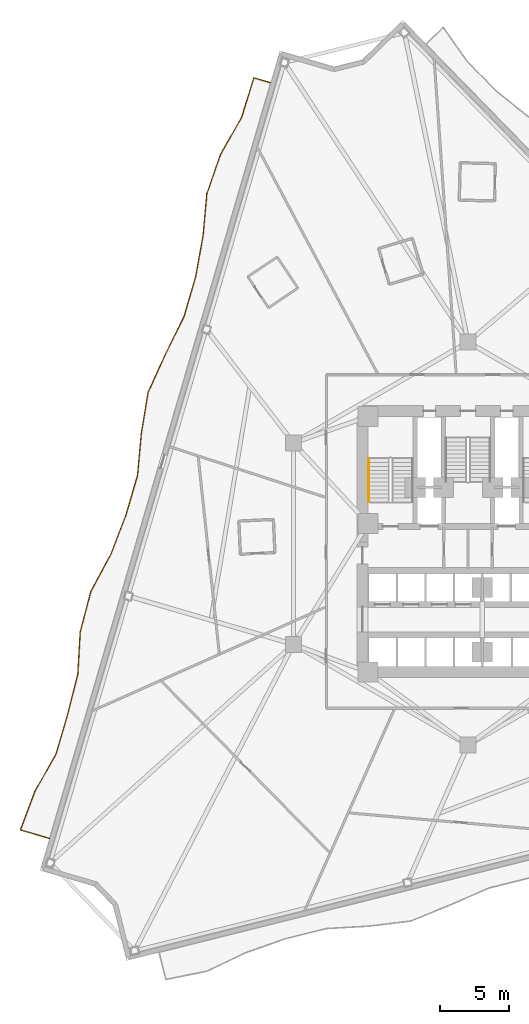
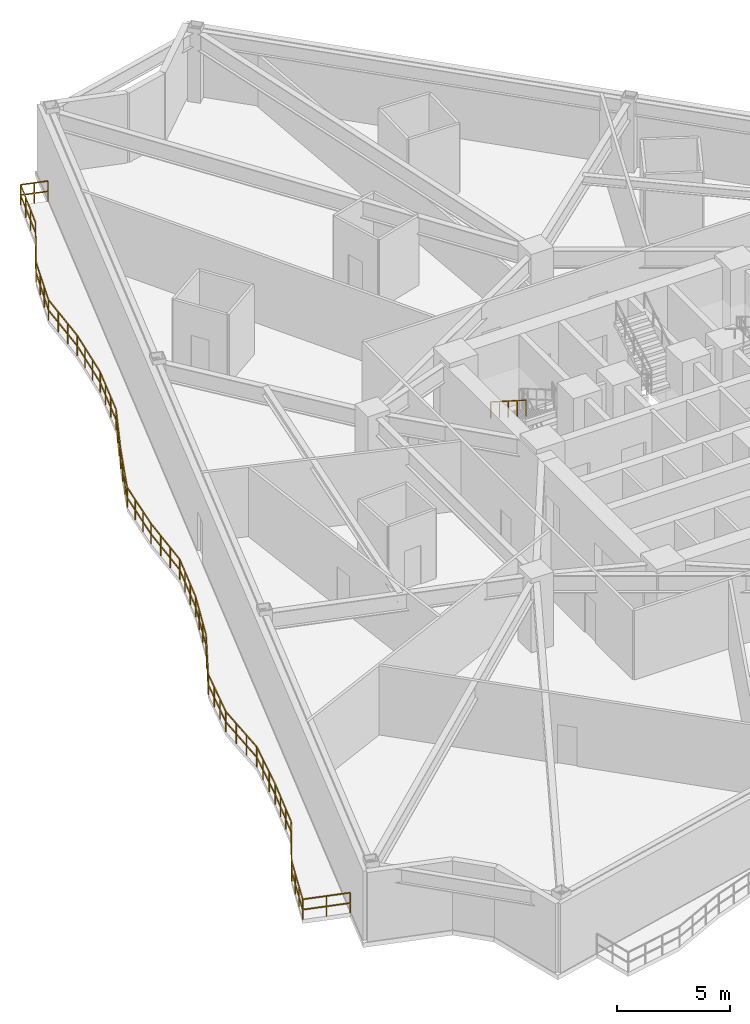
# One storey, part 8 of 10: 2 railings.
"""IFC4 building model written with IfcOpenShell, lengths in metres."""

from ifc_helpers import new_model, si_unit, direction, frame, origin, origin_2d, place, context, subcontext, project, spatial, rectangle, extrude, material, type_object, element, save


model = new_model("IFC4")

# Units and contexts
model_context = context("Model", 3, precision=1e-05, world=origin(), true_north=direction((0.0, 1.0)))
body_context = subcontext(model_context, "Body", "Model", "MODEL_VIEW")
ifc_project = project(units=[si_unit("LENGTHUNIT", "METRE"), si_unit("AREAUNIT", "SQUARE_METRE"), si_unit("VOLUMEUNIT", "CUBIC_METRE"), si_unit("PLANEANGLEUNIT", "RADIAN"), si_unit("MASSUNIT", "GRAM", prefix="KILO")], contexts=[model_context])

# Site, building, storey
site_placement = place(None, origin())
site = spatial("IfcSite", under=ifc_project, at=site_placement, CompositionType="ELEMENT")
building_placement = place(site_placement, origin())
building = spatial("IfcBuilding", under=site, at=building_placement, Name="Apsidion Concourse Tower", CompositionType="ELEMENT")
storey_placement = place(building_placement, frame((0.0, 0.0, 99.0)))
storey = spatial("IfcBuildingStorey", under=building, at=storey_placement, Name="L22", CompositionType="ELEMENT", Elevation=99.0)

# Railings
ifc_material = material(Name="Brushed stainless steel 316", Category="steel")
railing_type_1 = type_object("IfcRailingType", Name="RL-BAL-1120", PredefinedType="BALUSTRADE", material=ifc_material)
railing_1_placement = place(storey_placement, frame((-30.13330078125, -21.2216796875, 0.0)))
element("IfcRailing", 1, at=railing_1_placement, inside=storey, type_object=railing_type_1, Name="L22 Face 1 Rippling Balcony Balustrade", PredefinedType="BALUSTRADE", context=body_context, shape_type="SweptSolid", body=[
    extrude(rectangle(XDim=0.048095703125, YDim=0.048095703125, at=origin_2d()), frame((0.0, 0.0, 1.09619140625), z_axis=(-0.95980005822, 0.280684606347, 0.0), x_axis=(-0.280684606347, -0.95980005822, 0.0)), (0.0, 0.0, 1.0), 2.177001953125),
    extrude(rectangle(XDim=0.048095703125, YDim=0.048095703125, at=origin_2d()), frame((0.0, 0.0, 0.5361328125), z_axis=(-0.95980005822, 0.280684606347, 0.0), x_axis=(-0.280684606347, -0.95980005822, 0.0)), (0.0, 0.0, 1.0), 2.177001953125),
    extrude(rectangle(XDim=0.048095703125, YDim=0.048095703125, at=origin_2d()), frame((-2.089599609375, 0.611083984375, 1.09619140625), z_axis=(0.352545021922, 0.935794853329, 0.0), x_axis=(-0.935794853329, 0.352545021922, 0.0)), (0.0, 0.0, 1.0), 2.99169921875),
    extrude(rectangle(XDim=0.048095703125, YDim=0.048095703125, at=origin_2d()), frame((-2.089599609375, 0.611083984375, 0.5361328125), z_axis=(0.352545021922, 0.935794853329, 0.0), x_axis=(-0.935794853329, 0.352545021922, 0.0)), (0.0, 0.0, 1.0), 2.99169921875),
    extrude(rectangle(XDim=0.048095703125, YDim=0.048095703125, at=origin_2d()), frame((-1.034912109375, 3.41064453125, 1.09619140625), z_axis=(0.492891943596, 0.870090530887, 0.0), x_axis=(-0.870090530887, 0.492891943596, 0.0)), (0.0, 0.0, 1.0), 3.06396484375),
    extrude(rectangle(XDim=0.048095703125, YDim=0.048095703125, at=origin_2d()), frame((-1.034912109375, 3.41064453125, 0.5361328125), z_axis=(0.492891943596, 0.870090530887, 0.0), x_axis=(-0.870090530887, 0.492891943596, 0.0)), (0.0, 0.0, 1.0), 3.06396484375),
    extrude(rectangle(XDim=0.048095703125, YDim=0.048095703125, at=origin_2d()), frame((0.475341796875, 6.07666015625, 1.09619140625), z_axis=(0.2808013033, 0.95976592358, 0.0), x_axis=(-0.95976592358, 0.2808013033, 0.0)), (0.0, 0.0, 1.0), 2.983154296875),
    extrude(rectangle(XDim=0.048095703125, YDim=0.048095703125, at=origin_2d()), frame((0.475341796875, 6.07666015625, 0.5361328125), z_axis=(0.2808013033, 0.95976592358, 0.0), x_axis=(-0.95976592358, 0.2808013033, 0.0)), (0.0, 0.0, 1.0), 2.983154296875),
    extrude(rectangle(XDim=0.048095703125, YDim=0.048095703125, at=origin_2d()), frame((1.31298828125, 8.939697265625, 1.09619140625), z_axis=(0.244305726811, 0.969698258144, 0.0), x_axis=(-0.969698258144, 0.244305726811, 0.0)), (0.0, 0.0, 1.0), 2.98486328125),
    extrude(rectangle(XDim=0.048095703125, YDim=0.048095703125, at=origin_2d()), frame((1.31298828125, 8.939697265625, 0.5361328125), z_axis=(0.244305726811, 0.969698258144, 0.0), x_axis=(-0.969698258144, 0.244305726811, 0.0)), (0.0, 0.0, 1.0), 2.98486328125),
    extrude(rectangle(XDim=0.048095703125, YDim=0.048095703125, at=origin_2d()), frame((2.042236328125, 11.834228515625, 1.09619140625), z_axis=(0.057899192168, 0.99832243466, 0.0), x_axis=(-0.99832243466, 0.057899192168, 0.0)), (0.0, 0.0, 1.0), 3.061279296875),
    extrude(rectangle(XDim=0.048095703125, YDim=0.048095703125, at=origin_2d()), frame((2.042236328125, 11.834228515625, 0.5361328125), z_axis=(0.057899192168, 0.99832243466, 0.0), x_axis=(-0.99832243466, 0.057899192168, 0.0)), (0.0, 0.0, 1.0), 3.061279296875),
    extrude(rectangle(XDim=0.048095703125, YDim=0.048095703125, at=origin_2d()), frame((2.219482421875, 14.890380859375, 1.09619140625), z_axis=(0.256256857918, 0.966608722685, 0.0), x_axis=(-0.966608722685, 0.256256857918, 0.0)), (0.0, 0.0, 1.0), 2.98388671875),
    extrude(rectangle(XDim=0.048095703125, YDim=0.048095703125, at=origin_2d()), frame((2.219482421875, 14.890380859375, 0.5361328125), z_axis=(0.256256857918, 0.966608722685, 0.0), x_axis=(-0.966608722685, 0.256256857918, 0.0)), (0.0, 0.0, 1.0), 2.98388671875),
    extrude(rectangle(XDim=0.048095703125, YDim=0.048095703125, at=origin_2d()), frame((2.984130859375, 17.774658203125, 1.09619140625), z_axis=(0.472656936703, 0.881246514992, 0.0), x_axis=(-0.881246514992, 0.472656936703, 0.0)), (0.0, 0.0, 1.0), 3.048583984375),
    extrude(rectangle(XDim=0.048095703125, YDim=0.048095703125, at=origin_2d()), frame((2.984130859375, 17.774658203125, 0.5361328125), z_axis=(0.472656936703, 0.881246514992, 0.0), x_axis=(-0.881246514992, 0.472656936703, 0.0)), (0.0, 0.0, 1.0), 3.048583984375),
    extrude(rectangle(XDim=0.048095703125, YDim=0.048095703125, at=origin_2d()), frame((4.425048828125, 20.461181640625, 1.09619140625), z_axis=(0.359307010936, 0.933219412513, 0.0), x_axis=(-0.933219412513, 0.359307010936, 0.0)), (0.0, 0.0, 1.0), 2.9931640625),
    extrude(rectangle(XDim=0.048095703125, YDim=0.048095703125, at=origin_2d()), frame((4.425048828125, 20.461181640625, 0.5361328125), z_axis=(0.359307010936, 0.933219412513, 0.0), x_axis=(-0.933219412513, 0.359307010936, 0.0)), (0.0, 0.0, 1.0), 2.9931640625),
    extrude(rectangle(XDim=0.048095703125, YDim=0.048095703125, at=origin_2d()), frame((5.50048828125, 23.25439453125, 1.09619140625), z_axis=(0.280725911516, 0.959787977943, 0.0), x_axis=(-0.959787977943, 0.280725911516, 0.0)), (0.0, 0.0, 1.0), 2.98291015625),
    extrude(rectangle(XDim=0.048095703125, YDim=0.048095703125, at=origin_2d()), frame((5.50048828125, 23.25439453125, 0.5361328125), z_axis=(0.280725911516, 0.959787977943, 0.0), x_axis=(-0.959787977943, 0.280725911516, 0.0)), (0.0, 0.0, 1.0), 2.98291015625),
    extrude(rectangle(XDim=0.048095703125, YDim=0.048095703125, at=origin_2d()), frame((6.337890625, 26.117431640625, 1.09619140625), z_axis=(0.091006484095, 0.995850299921, 0.0), x_axis=(-0.995850299921, 0.091006484095, 0.0)), (0.0, 0.0, 1.0), 3.03955078125),
    extrude(rectangle(XDim=0.048095703125, YDim=0.048095703125, at=origin_2d()), frame((6.337890625, 26.117431640625, 0.5361328125), z_axis=(0.091006484095, 0.995850299921, 0.0), x_axis=(-0.995850299921, 0.091006484095, 0.0)), (0.0, 0.0, 1.0), 3.03955078125),
    extrude(rectangle(XDim=0.048095703125, YDim=0.048095703125, at=origin_2d()), frame((6.614501953125, 29.144287109375, 1.09619140625), z_axis=(0.162225020121, 0.986753790389, 0.0), x_axis=(-0.986753790389, 0.162225020121, 0.0)), (0.0, 0.0, 1.0), 3.00537109375),
    extrude(rectangle(XDim=0.048095703125, YDim=0.048095703125, at=origin_2d()), frame((6.614501953125, 29.144287109375, 0.5361328125), z_axis=(0.162225020121, 0.986753790389, 0.0), x_axis=(-0.986753790389, 0.162225020121, 0.0)), (0.0, 0.0, 1.0), 3.00537109375),
    extrude(rectangle(XDim=0.048095703125, YDim=0.048095703125, at=origin_2d()), frame((7.10205078125, 32.10986328125, 1.09619140625), z_axis=(0.414480371726, 0.910058251681, 0.0), x_axis=(-0.910058251681, 0.414480371726, 0.0)), (0.0, 0.0, 1.0), 3.013427734375),
    extrude(rectangle(XDim=0.048095703125, YDim=0.048095703125, at=origin_2d()), frame((7.10205078125, 32.10986328125, 0.5361328125), z_axis=(0.414480371726, 0.910058251681, 0.0), x_axis=(-0.910058251681, 0.414480371726, 0.0)), (0.0, 0.0, 1.0), 3.013427734375),
    extrude(rectangle(XDim=0.048095703125, YDim=0.048095703125, at=origin_2d()), frame((8.35107421875, 34.852294921875, 1.09619140625), z_axis=(0.441528258289, 0.897247344455, 0.0), x_axis=(-0.897247344455, 0.441528258289, 0.0)), (0.0, 0.0, 1.0), 3.02783203125),
    extrude(rectangle(XDim=0.048095703125, YDim=0.048095703125, at=origin_2d()), frame((8.35107421875, 34.852294921875, 0.5361328125), z_axis=(0.441528258289, 0.897247344455, 0.0), x_axis=(-0.897247344455, 0.441528258289, 0.0)), (0.0, 0.0, 1.0), 3.02783203125),
    extrude(rectangle(XDim=0.048095703125, YDim=0.048095703125, at=origin_2d()), frame((9.68798828125, 37.569091796875, 1.09619140625), z_axis=(0.2808013033, 0.95976592358, 0.0), x_axis=(-0.95976592358, 0.2808013033, 0.0)), (0.0, 0.0, 1.0), 2.983154296875),
    extrude(rectangle(XDim=0.048095703125, YDim=0.048095703125, at=origin_2d()), frame((9.68798828125, 37.569091796875, 0.5361328125), z_axis=(0.2808013033, 0.95976592358, 0.0), x_axis=(-0.95976592358, 0.2808013033, 0.0)), (0.0, 0.0, 1.0), 2.983154296875),
    extrude(rectangle(XDim=0.048095703125, YDim=0.048095703125, at=origin_2d()), frame((10.525634765625, 40.43212890625, 1.09619140625), z_axis=(0.177581820881, 0.984106039455, 0.0), x_axis=(-0.984106039455, 0.177581820881, 0.0)), (0.0, 0.0, 1.0), 2.999755859375),
    extrude(rectangle(XDim=0.048095703125, YDim=0.048095703125, at=origin_2d()), frame((10.525634765625, 40.43212890625, 0.5361328125), z_axis=(0.177581820881, 0.984106039455, 0.0), x_axis=(-0.984106039455, 0.177581820881, 0.0)), (0.0, 0.0, 1.0), 2.999755859375),
    extrude(rectangle(XDim=0.048095703125, YDim=0.048095703125, at=origin_2d()), frame((11.058349609375, 43.38427734375, 1.09619140625), z_axis=(0.089855153631, 0.99595484404, 0.0), x_axis=(-0.99595484404, 0.089855153631, 0.0)), (0.0, 0.0, 1.0), 3.040283203125),
    extrude(rectangle(XDim=0.048095703125, YDim=0.048095703125, at=origin_2d()), frame((11.058349609375, 43.38427734375, 0.5361328125), z_axis=(0.089855153631, 0.99595484404, 0.0), x_axis=(-0.99595484404, 0.089855153631, 0.0)), (0.0, 0.0, 1.0), 3.040283203125),
    extrude(rectangle(XDim=0.048095703125, YDim=0.048095703125, at=origin_2d()), frame((11.33154296875, 46.412353515625, 1.09619140625), z_axis=(0.32926877099, 0.944236239747, 0.0), x_axis=(-0.944236239747, 0.32926877099, 0.0)), (0.0, 0.0, 1.0), 2.986572265625),
    extrude(rectangle(XDim=0.048095703125, YDim=0.048095703125, at=origin_2d()), frame((11.33154296875, 46.412353515625, 0.5361328125), z_axis=(0.32926877099, 0.944236239747, 0.0), x_axis=(-0.944236239747, 0.32926877099, 0.0)), (0.0, 0.0, 1.0), 2.986572265625),
    extrude(rectangle(XDim=0.048095703125, YDim=0.048095703125, at=origin_2d()), frame((12.31494140625, 49.232421875, 1.09619140625), z_axis=(0.494328184921, 0.8692753566, 0.0), x_axis=(-0.8692753566, 0.494328184921, 0.0)), (0.0, 0.0, 1.0), 3.0654296875),
    extrude(rectangle(XDim=0.048095703125, YDim=0.048095703125, at=origin_2d()), frame((12.31494140625, 49.232421875, 0.5361328125), z_axis=(0.494328184921, 0.8692753566, 0.0), x_axis=(-0.8692753566, 0.494328184921, 0.0)), (0.0, 0.0, 1.0), 3.0654296875),
    extrude(rectangle(XDim=0.048095703125, YDim=0.048095703125, at=origin_2d()), frame((13.830322265625, 51.897216796875, 1.09619140625), z_axis=(0.295925548713, 0.955211007903, 0.0), x_axis=(-0.955211007903, 0.295925548713, 0.0)), (0.0, 0.0, 1.0), 2.983154296875),
    extrude(rectangle(XDim=0.048095703125, YDim=0.048095703125, at=origin_2d()), frame((13.830322265625, 51.897216796875, 0.5361328125), z_axis=(0.295925548713, 0.955211007903, 0.0), x_axis=(-0.955211007903, 0.295925548713, 0.0)), (0.0, 0.0, 1.0), 2.983154296875),
    extrude(rectangle(XDim=0.048095703125, YDim=0.048095703125, at=origin_2d()), frame((14.713134765625, 54.746826171875, 1.09619140625), z_axis=(0.959802880035, -0.280674956982, 0.0), x_axis=(0.280674956982, 0.959802880035, 0.0)), (0.0, 0.0, 1.0), 1.25),
    extrude(rectangle(XDim=0.048095703125, YDim=0.048095703125, at=origin_2d()), frame((14.713134765625, 54.746826171875, 0.5361328125), z_axis=(0.959802880035, -0.280674956982, 0.0), x_axis=(0.280674956982, 0.959802880035, 0.0)), (0.0, 0.0, 1.0), 1.25),
    extrude(rectangle(XDim=0.0419921875, YDim=0.0419921875, at=origin_2d()), origin(), (0.0, 0.0, 1.0), 1.072021484375),
    extrude(rectangle(XDim=0.0419921875, YDim=0.0419921875, at=origin_2d()), frame((-1.044921875, 0.3056640625, 0.0)), (0.0, 0.0, 1.0), 1.072021484375),
    extrude(rectangle(XDim=0.0419921875, YDim=0.0419921875, at=origin_2d()), frame((-2.089599609375, 0.611083984375, 0.0)), (0.0, 0.0, 1.0), 1.072021484375),
    extrude(rectangle(XDim=0.0419921875, YDim=0.0419921875, at=origin_2d()), frame((-1.738037109375, 1.544189453125, 0.0)), (0.0, 0.0, 1.0), 1.072021484375),
    extrude(rectangle(XDim=0.0419921875, YDim=0.0419921875, at=origin_2d()), frame((-1.386474609375, 2.4775390625, 0.0)), (0.0, 0.0, 1.0), 1.072021484375),
    extrude(rectangle(XDim=0.0419921875, YDim=0.0419921875, at=origin_2d()), frame((-1.034912109375, 3.41064453125, 0.0)), (0.0, 0.0, 1.0), 1.072021484375),
    extrude(rectangle(XDim=0.0419921875, YDim=0.0419921875, at=origin_2d()), frame((-0.531494140625, 4.29931640625, 0.0)), (0.0, 0.0, 1.0), 1.072021484375),
    extrude(rectangle(XDim=0.0419921875, YDim=0.0419921875, at=origin_2d()), frame((-0.028076171875, 5.18798828125, 0.0)), (0.0, 0.0, 1.0), 1.072021484375),
    extrude(rectangle(XDim=0.0419921875, YDim=0.0419921875, at=origin_2d()), frame((0.475341796875, 6.07666015625, 0.0)), (0.0, 0.0, 1.0), 1.072021484375),
    extrude(rectangle(XDim=0.0419921875, YDim=0.0419921875, at=origin_2d()), frame((0.754638671875, 7.031005859375, 0.0)), (0.0, 0.0, 1.0), 1.072021484375),
    extrude(rectangle(XDim=0.0419921875, YDim=0.0419921875, at=origin_2d()), frame((1.03369140625, 7.9853515625, 0.0)), (0.0, 0.0, 1.0), 1.072021484375),
    extrude(rectangle(XDim=0.0419921875, YDim=0.0419921875, at=origin_2d()), frame((1.31298828125, 8.939697265625, 0.0)), (0.0, 0.0, 1.0), 1.072021484375),
    extrude(rectangle(XDim=0.0419921875, YDim=0.0419921875, at=origin_2d()), frame((1.55615234375, 9.904541015625, 0.0)), (0.0, 0.0, 1.0), 1.072021484375),
    extrude(rectangle(XDim=0.0419921875, YDim=0.0419921875, at=origin_2d()), frame((1.799072265625, 10.869384765625, 0.0)), (0.0, 0.0, 1.0), 1.072021484375),
    extrude(rectangle(XDim=0.0419921875, YDim=0.0419921875, at=origin_2d()), frame((2.042236328125, 11.834228515625, 0.0)), (0.0, 0.0, 1.0), 1.072021484375),
    extrude(rectangle(XDim=0.0419921875, YDim=0.0419921875, at=origin_2d()), frame((2.101318359375, 12.85302734375, 0.0)), (0.0, 0.0, 1.0), 1.072021484375),
    extrude(rectangle(XDim=0.0419921875, YDim=0.0419921875, at=origin_2d()), frame((2.160400390625, 13.87158203125, 0.0)), (0.0, 0.0, 1.0), 1.072021484375),
    extrude(rectangle(XDim=0.0419921875, YDim=0.0419921875, at=origin_2d()), frame((2.219482421875, 14.890380859375, 0.0)), (0.0, 0.0, 1.0), 1.072021484375),
    extrude(rectangle(XDim=0.0419921875, YDim=0.0419921875, at=origin_2d()), frame((2.474365234375, 15.851806640625, 0.0)), (0.0, 0.0, 1.0), 1.072021484375),
    extrude(rectangle(XDim=0.0419921875, YDim=0.0419921875, at=origin_2d()), frame((2.729248046875, 16.813232421875, 0.0)), (0.0, 0.0, 1.0), 1.072021484375),
    extrude(rectangle(XDim=0.0419921875, YDim=0.0419921875, at=origin_2d()), frame((2.984130859375, 17.774658203125, 0.0)), (0.0, 0.0, 1.0), 1.072021484375),
    extrude(rectangle(XDim=0.0419921875, YDim=0.0419921875, at=origin_2d()), frame((3.46435546875, 18.670166015625, 0.0)), (0.0, 0.0, 1.0), 1.072021484375),
    extrude(rectangle(XDim=0.0419921875, YDim=0.0419921875, at=origin_2d()), frame((3.94482421875, 19.565673828125, 0.0)), (0.0, 0.0, 1.0), 1.072021484375),
    extrude(rectangle(XDim=0.0419921875, YDim=0.0419921875, at=origin_2d()), frame((4.425048828125, 20.461181640625, 0.0)), (0.0, 0.0, 1.0), 1.072021484375),
    extrude(rectangle(XDim=0.0419921875, YDim=0.0419921875, at=origin_2d()), frame((4.783447265625, 21.392333984375, 0.0)), (0.0, 0.0, 1.0), 1.072021484375),
    extrude(rectangle(XDim=0.0419921875, YDim=0.0419921875, at=origin_2d()), frame((5.14208984375, 22.3232421875, 0.0)), (0.0, 0.0, 1.0), 1.072021484375),
    extrude(rectangle(XDim=0.0419921875, YDim=0.0419921875, at=origin_2d()), frame((5.50048828125, 23.25439453125, 0.0)), (0.0, 0.0, 1.0), 1.072021484375),
    extrude(rectangle(XDim=0.0419921875, YDim=0.0419921875, at=origin_2d()), frame((5.779541015625, 24.208740234375, 0.0)), (0.0, 0.0, 1.0), 1.072021484375),
    extrude(rectangle(XDim=0.0419921875, YDim=0.0419921875, at=origin_2d()), frame((6.058837890625, 25.1630859375, 0.0)), (0.0, 0.0, 1.0), 1.072021484375),
    extrude(rectangle(XDim=0.0419921875, YDim=0.0419921875, at=origin_2d()), frame((6.337890625, 26.117431640625, 0.0)), (0.0, 0.0, 1.0), 1.072021484375),
    extrude(rectangle(XDim=0.0419921875, YDim=0.0419921875, at=origin_2d()), frame((6.43017578125, 27.12646484375, 0.0)), (0.0, 0.0, 1.0), 1.072021484375),
    extrude(rectangle(XDim=0.0419921875, YDim=0.0419921875, at=origin_2d()), frame((6.522216796875, 28.13525390625, 0.0)), (0.0, 0.0, 1.0), 1.072021484375),
    extrude(rectangle(XDim=0.0419921875, YDim=0.0419921875, at=origin_2d()), frame((6.614501953125, 29.144287109375, 0.0)), (0.0, 0.0, 1.0), 1.072021484375),
    extrude(rectangle(XDim=0.0419921875, YDim=0.0419921875, at=origin_2d()), frame((6.777099609375, 30.1328125, 0.0)), (0.0, 0.0, 1.0), 1.072021484375),
    extrude(rectangle(XDim=0.0419921875, YDim=0.0419921875, at=origin_2d()), frame((6.939453125, 31.121337890625, 0.0)), (0.0, 0.0, 1.0), 1.072021484375),
    extrude(rectangle(XDim=0.0419921875, YDim=0.0419921875, at=origin_2d()), frame((7.10205078125, 32.10986328125, 0.0)), (0.0, 0.0, 1.0), 1.072021484375),
    extrude(rectangle(XDim=0.0419921875, YDim=0.0419921875, at=origin_2d()), frame((7.518310546875, 33.02392578125, 0.0)), (0.0, 0.0, 1.0), 1.072021484375),
    extrude(rectangle(XDim=0.0419921875, YDim=0.0419921875, at=origin_2d()), frame((7.934814453125, 33.938232421875, 0.0)), (0.0, 0.0, 1.0), 1.072021484375),
    extrude(rectangle(XDim=0.0419921875, YDim=0.0419921875, at=origin_2d()), frame((8.35107421875, 34.852294921875, 0.0)), (0.0, 0.0, 1.0), 1.072021484375),
    extrude(rectangle(XDim=0.0419921875, YDim=0.0419921875, at=origin_2d()), frame((8.796630859375, 35.7578125, 0.0)), (0.0, 0.0, 1.0), 1.072021484375),
    extrude(rectangle(XDim=0.0419921875, YDim=0.0419921875, at=origin_2d()), frame((9.242431640625, 36.66357421875, 0.0)), (0.0, 0.0, 1.0), 1.072021484375),
    extrude(rectangle(XDim=0.0419921875, YDim=0.0419921875, at=origin_2d()), frame((9.68798828125, 37.569091796875, 0.0)), (0.0, 0.0, 1.0), 1.072021484375),
    extrude(rectangle(XDim=0.0419921875, YDim=0.0419921875, at=origin_2d()), frame((9.96728515625, 38.5234375, 0.0)), (0.0, 0.0, 1.0), 1.072021484375),
    extrude(rectangle(XDim=0.0419921875, YDim=0.0419921875, at=origin_2d()), frame((10.246337890625, 39.477783203125, 0.0)), (0.0, 0.0, 1.0), 1.072021484375),
    extrude(rectangle(XDim=0.0419921875, YDim=0.0419921875, at=origin_2d()), frame((10.525634765625, 40.43212890625, 0.0)), (0.0, 0.0, 1.0), 1.072021484375),
    extrude(rectangle(XDim=0.0419921875, YDim=0.0419921875, at=origin_2d()), frame((10.703125, 41.416259765625, 0.0)), (0.0, 0.0, 1.0), 1.072021484375),
    extrude(rectangle(XDim=0.0419921875, YDim=0.0419921875, at=origin_2d()), frame((10.880859375, 42.400146484375, 0.0)), (0.0, 0.0, 1.0), 1.072021484375),
    extrude(rectangle(XDim=0.0419921875, YDim=0.0419921875, at=origin_2d()), frame((11.058349609375, 43.38427734375, 0.0)), (0.0, 0.0, 1.0), 1.072021484375),
    extrude(rectangle(XDim=0.0419921875, YDim=0.0419921875, at=origin_2d()), frame((11.1494140625, 44.3935546875, 0.0)), (0.0, 0.0, 1.0), 1.072021484375),
    extrude(rectangle(XDim=0.0419921875, YDim=0.0419921875, at=origin_2d()), frame((11.240478515625, 45.403076171875, 0.0)), (0.0, 0.0, 1.0), 1.072021484375),
    extrude(rectangle(XDim=0.0419921875, YDim=0.0419921875, at=origin_2d()), frame((11.33154296875, 46.412353515625, 0.0)), (0.0, 0.0, 1.0), 1.072021484375),
    extrude(rectangle(XDim=0.0419921875, YDim=0.0419921875, at=origin_2d()), frame((11.659423828125, 47.352294921875, 0.0)), (0.0, 0.0, 1.0), 1.072021484375),
    extrude(rectangle(XDim=0.0419921875, YDim=0.0419921875, at=origin_2d()), frame((11.987060546875, 48.29248046875, 0.0)), (0.0, 0.0, 1.0), 1.072021484375),
    extrude(rectangle(XDim=0.0419921875, YDim=0.0419921875, at=origin_2d()), frame((12.31494140625, 49.232421875, 0.0)), (0.0, 0.0, 1.0), 1.072021484375),
    extrude(rectangle(XDim=0.0419921875, YDim=0.0419921875, at=origin_2d()), frame((12.820068359375, 50.12060546875, 0.0)), (0.0, 0.0, 1.0), 1.072021484375),
    extrude(rectangle(XDim=0.0419921875, YDim=0.0419921875, at=origin_2d()), frame((13.3251953125, 51.009033203125, 0.0)), (0.0, 0.0, 1.0), 1.072021484375),
    extrude(rectangle(XDim=0.0419921875, YDim=0.0419921875, at=origin_2d()), frame((13.830322265625, 51.897216796875, 0.0)), (0.0, 0.0, 1.0), 1.072021484375),
    extrude(rectangle(XDim=0.0419921875, YDim=0.0419921875, at=origin_2d()), frame((14.12451171875, 52.84716796875, 0.0)), (0.0, 0.0, 1.0), 1.072021484375),
    extrude(rectangle(XDim=0.0419921875, YDim=0.0419921875, at=origin_2d()), frame((14.4189453125, 53.796875, 0.0)), (0.0, 0.0, 1.0), 1.072021484375),
    extrude(rectangle(XDim=0.0419921875, YDim=0.0419921875, at=origin_2d()), frame((14.713134765625, 54.746826171875, 0.0)), (0.0, 0.0, 1.0), 1.072021484375),
    extrude(rectangle(XDim=0.0419921875, YDim=0.0419921875, at=origin_2d()), frame((15.31298828125, 54.5712890625, 0.0)), (0.0, 0.0, 1.0), 1.072021484375),
    extrude(rectangle(XDim=0.0419921875, YDim=0.0419921875, at=origin_2d()), frame((15.912841796875, 54.39599609375, 0.0)), (0.0, 0.0, 1.0), 1.072021484375),
])
railing_type_2 = type_object("IfcRailingType", Name="RL-HAND-900", PredefinedType="HANDRAIL", material=ifc_material)
railing_2_placement = place(storey_placement, frame((-7.14990234375, 6.135009765625, 2.166748046875)))
element("IfcRailing", 2, at=railing_2_placement, inside=storey, type_object=railing_type_2, Name="L22 ST1 stair handrail 2", PredefinedType="HANDRAIL", context=body_context, shape_type="SweptSolid", body=[
    extrude(rectangle(XDim=0.048095703125, YDim=0.048095703125, at=origin_2d()), frame((0.0, 0.0, 0.8759765625), z_axis=(0.0, -0.843052688722, 0.537830980921), x_axis=(1.0, 0.0, 0.0)), (0.0, 0.0, 1.0), 3.71875),
    extrude(rectangle(XDim=0.0419921875, YDim=0.0419921875, at=origin_2d()), origin(), (0.0, 0.0, 1.0), 0.851806640625),
    extrude(rectangle(XDim=0.0419921875, YDim=0.0419921875, at=origin_2d()), frame((0.0, -0.78369140625, 0.5)), (0.0, 0.0, 1.0), 0.851806640625),
    extrude(rectangle(XDim=0.0419921875, YDim=0.0419921875, at=origin_2d()), frame((0.0, -1.5673828125, 1.0)), (0.0, 0.0, 1.0), 0.851806640625),
    extrude(rectangle(XDim=0.0419921875, YDim=0.0419921875, at=origin_2d()), frame((0.0, -2.351318359375, 1.5)), (0.0, 0.0, 1.0), 0.851806640625),
    extrude(rectangle(XDim=0.0419921875, YDim=0.0419921875, at=origin_2d()), frame((0.0, -3.135009765625, 2.0)), (0.0, 0.0, 1.0), 0.851806640625),
])

save(model, "model.ifc")
